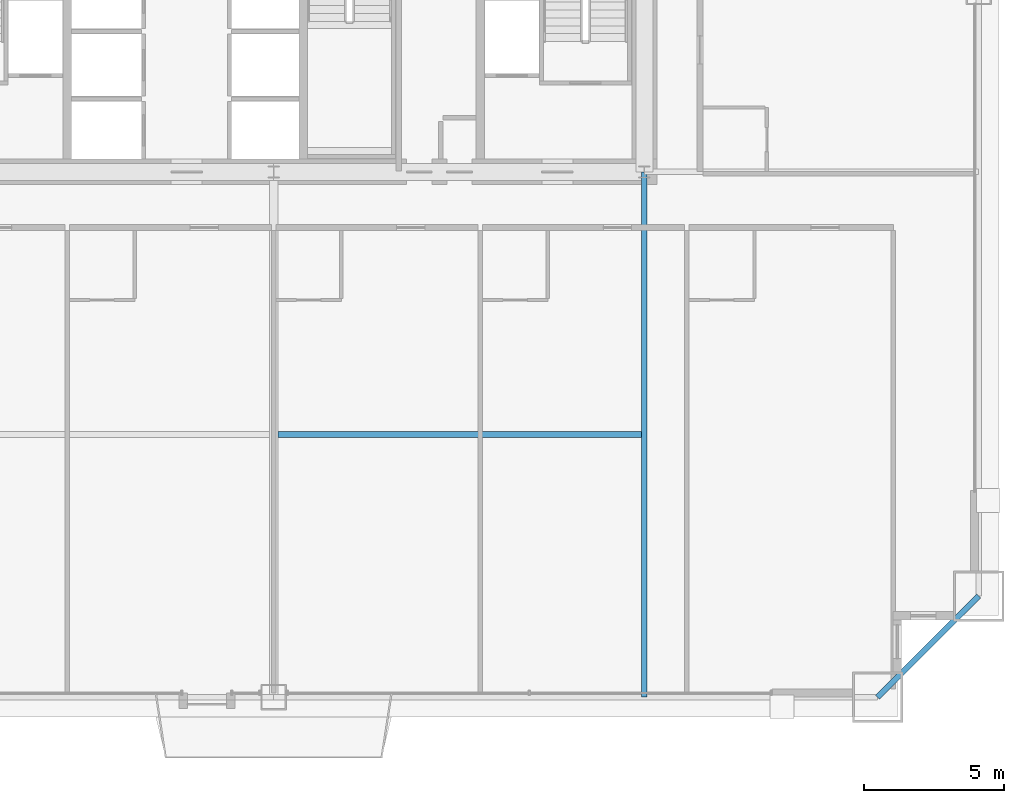
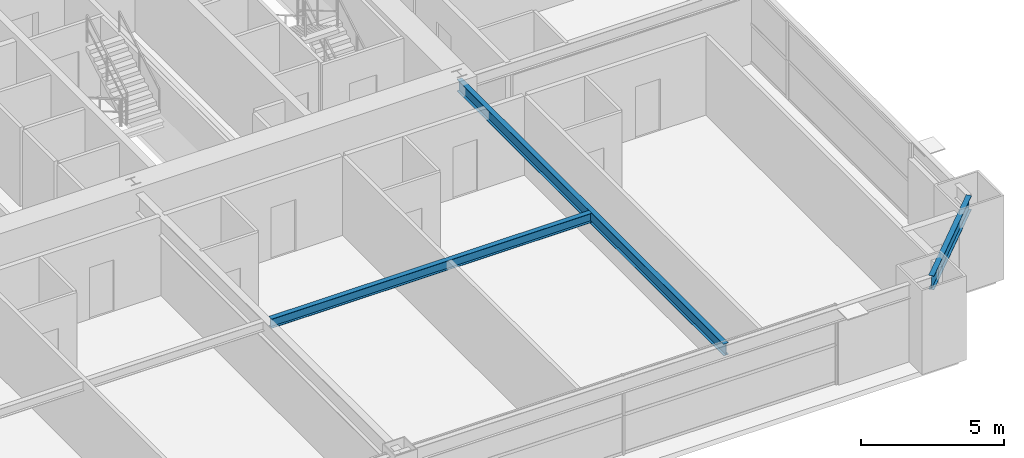
# One storey, part 17 of 45: 3 beams.
"""IFC4 building model written with IfcOpenShell, lengths in metres."""

from ifc_helpers import new_model, si_unit, direction, frame, origin, origin_2d, place, context, subcontext, project, spatial, i_section, extrude, source, transform, mapped, material, material_profile, profile_set, type_object, element, save


model = new_model("IFC4")

# Units and contexts
model_context = context("Model", 3, precision=1e-05, world=origin(), true_north=direction((0.0, 1.0)))
body_context = subcontext(model_context, "Body", "Model", "MODEL_VIEW")
ifc_project = project(units=[si_unit("LENGTHUNIT", "METRE"), si_unit("AREAUNIT", "SQUARE_METRE"), si_unit("VOLUMEUNIT", "CUBIC_METRE"), si_unit("PLANEANGLEUNIT", "RADIAN"), si_unit("MASSUNIT", "GRAM", prefix="KILO"), si_unit("THERMODYNAMICTEMPERATUREUNIT", "KELVIN"), si_unit("POWERUNIT", "WATT")], contexts=[model_context])

# Site, building, storey
site_placement = place(None, origin())
site = spatial("IfcSite", under=ifc_project, at=site_placement, CompositionType="ELEMENT")
building_placement = place(site_placement, origin())
building = spatial("IfcBuilding", under=site, at=building_placement, Name="Yuzanri Waterfront Tower", CompositionType="ELEMENT")
storey_placement = place(building_placement, frame((0.0, 0.0, 34.199951171875)))
storey = spatial("IfcBuildingStorey", under=building, at=storey_placement, Name="L08", CompositionType="ELEMENT", Elevation=34.199951171875)

# Beams
ifc_material_1 = material(Name="Steel Q355B", Category="steel")
ifc_material_profile_1 = material_profile(ifc_material_1, i_section(OverallWidth=0.199951171875, OverallDepth=0.60009765625, WebThickness=0.010986328125, FlangeThickness=0.01708984375, at=origin_2d()), Name="HN 600x200x11x17")
ifc_profile_set_1 = profile_set([ifc_material_profile_1], Name="Steel Q355B")
beam_type_1 = type_object("IfcBeamType", Name="Perimeter Spandrel Q355B HN 600x200", PredefinedType="SPANDREL", material=ifc_profile_set_1)
shared_shape_1 = source(origin(), body_context, "Body", "SweptSolid", [
    extrude(i_section(OverallWidth=0.199951171875, OverallDepth=0.60009765625, WebThickness=0.010986328125, FlangeThickness=0.01708984375, at=origin_2d()), origin(), (0.0, 0.0, 1.0), 5.09130859375),
])
beam_1_placement = place(storey_placement, frame((58.5, 0.699951171875, 3.080078125), z_axis=(0.707106781187, 0.707106781187, 0.0), x_axis=(-0.707106781187, 0.707106781187, 0.0)))
element("IfcBeam", 1, at=beam_1_placement, inside=storey, type_object=beam_type_1, Name="L08 Perimeter Spandrel S3-E1", PredefinedType="SPANDREL", context=body_context, shape_type="MappedRepresentation", body=[
    mapped(shared_shape_1, transform((0.0, 0.0, 0.0), scale=1.0)),
])
ifc_material_2 = material(Name="Steel Q355B", Category="steel")
ifc_material_profile_2 = material_profile(ifc_material_2, i_section(OverallWidth=0.199951171875, OverallDepth=0.5, WebThickness=0.010009765625, FlangeThickness=0.01611328125, at=origin_2d()), Name="HN 500x200x10x16")
ifc_profile_set_2 = profile_set([ifc_material_profile_2], Name="Steel Q355B")
beam_type_2 = type_object("IfcBeamType", Name="Secondary Floor Beam Q355B HN 500x200", PredefinedType="BEAM", material=ifc_profile_set_2)
shared_shape_2 = source(origin(), body_context, "Body", "SweptSolid", [
    extrude(i_section(OverallWidth=0.199951171875, OverallDepth=0.5, WebThickness=0.010009765625, FlangeThickness=0.01611328125, at=origin_2d()), origin(), (0.0, 0.0, 1.0), 18.699951171875),
])
beam_2_placement = place(storey_placement, frame((50.199951171875, 19.39990234375, 3.130126953125), z_axis=(0.0, -1.0, 0.0), x_axis=(1.0, 0.0, 0.0)))
element("IfcBeam", 2, at=beam_2_placement, inside=storey, type_object=beam_type_2, Name="L08 South-East Core Line Beam", PredefinedType="BEAM", context=body_context, shape_type="MappedRepresentation", body=[
    mapped(shared_shape_2, transform((0.0, 0.0, 0.0), scale=1.0)),
])
ifc_material_3 = material(Name="Steel Q355B", Category="steel")
ifc_material_profile_3 = material_profile(ifc_material_3, i_section(OverallWidth=0.199951171875, OverallDepth=0.39990234375, WebThickness=0.008056640625, FlangeThickness=0.012939453125, at=origin_2d()), Name="HN 400x200x8x13")
ifc_profile_set_3 = profile_set([ifc_material_profile_3], Name="Steel Q355B")
beam_type_3 = type_object("IfcBeamType", Name="Floor Joist Q355B HN 400x200", PredefinedType="JOIST", material=ifc_profile_set_3)
shared_shape_3 = source(origin(), body_context, "Body", "SweptSolid", [
    extrude(i_section(OverallWidth=0.199951171875, OverallDepth=0.39990234375, WebThickness=0.008056640625, FlangeThickness=0.012939453125, at=origin_2d()), origin(), (0.0, 0.0, 1.0), 12.9501953125),
])
beam_3_placement = place(storey_placement, frame((37.14990234375, 10.050048828125, 3.179931640625), z_axis=(1.0, 0.0, 0.0), x_axis=(0.0, 1.0, 0.0)))
element("IfcBeam", 3, at=beam_3_placement, inside=storey, type_object=beam_type_3, Name="L08 South Bay Joist E", PredefinedType="JOIST", context=body_context, shape_type="MappedRepresentation", body=[
    mapped(shared_shape_3, transform((0.0, 0.0, 0.0), scale=1.0)),
])

save(model, "model.ifc")
